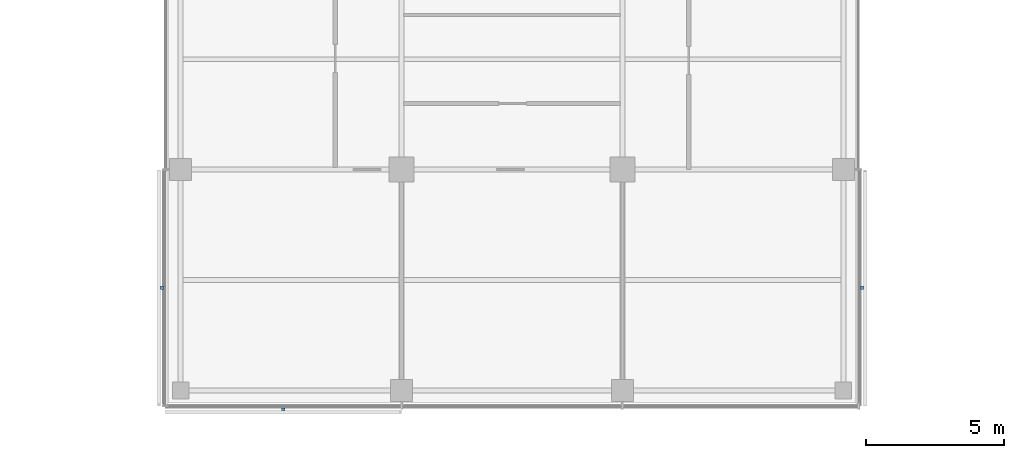
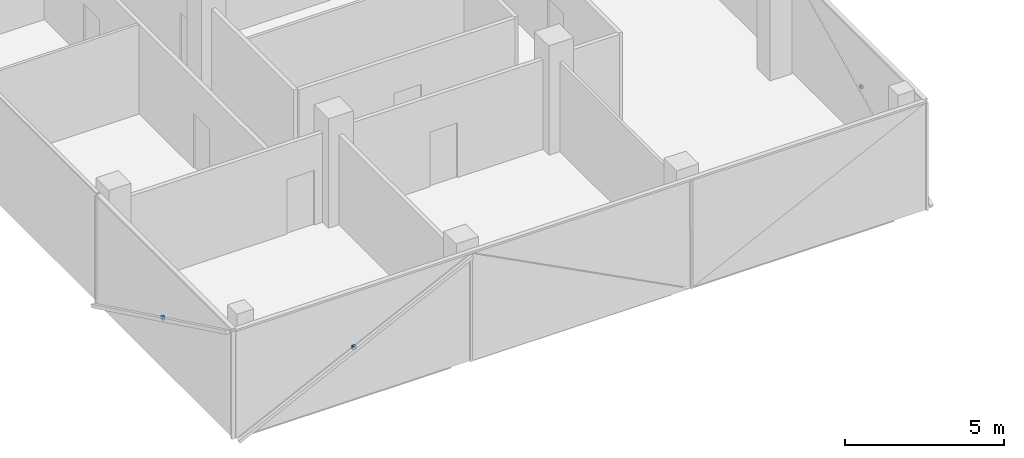
# One storey, part 13 of 15: 3 discrete accessories.
"""IFC4 building model written with IfcOpenShell, lengths in metres."""

import ifcopenshell
import ifcopenshell.guid

model = None  # the IFC model being written
_history = None  # IfcOwnerHistory: only IFC2X3 demands one
_inside = {}  # id of a spatial element -> (the spatial element, [elements in it])
_under = {}  # id of a project, library or spatial element -> (it, [spatial elements below it])
_declared = {}  # id of a project -> (the project, [libraries it declares])
_typed = {}  # id of a type object -> (the type object, [elements of that type])
_made_of = {}  # id of a material, layer set ... -> (it, [elements and type objects made of it])


def new_model(schema):
    """Start an empty IFC model of exactly this schema.

    Asked for "IFC4X3", IfcOpenShell would pick the latest addendum, in which some entities
    have other attributes; the version numbers below select the first issue.
    IFC2X3 requires an IfcOwnerHistory on every rooted entity: one is made here for all.
    """
    global model, _history
    if schema == "IFC4X3":
        model = ifcopenshell.file(schema_version=(4, 3, 0, 0))
    else:
        model = ifcopenshell.file(schema=schema)
    _inside.clear()
    _under.clear()
    _declared.clear()
    _typed.clear()
    _made_of.clear()
    _history = None
    if model.schema == "IFC2X3":
        org = make("IfcOrganization", Name="unknown")
        user = make(
            "IfcPersonAndOrganization",
            ThePerson=make("IfcPerson", FamilyName="unknown"),
            TheOrganization=org,
        )
        app = make(
            "IfcApplication",
            ApplicationDeveloper=org,
            Version="unknown",
            ApplicationFullName="unknown",
            ApplicationIdentifier="unknown",
        )
        _history = make(
            "IfcOwnerHistory",
            OwningUser=user,
            OwningApplication=app,
            ChangeAction="ADDED",
            CreationDate=0,
        )
    return model


def make(cls, **values):
    """One entity of the class cls with the attributes given. An attribute that is None is left unset."""
    return model.create_entity(
        cls, **{name: value for name, value in values.items() if value is not None}
    )


def rooted(cls, **values):
    """An entity with a GlobalId (a new one), such as an element, a storey or a relation."""
    return make(cls, GlobalId=ifcopenshell.guid.new(), OwnerHistory=_history, **values)


def si_unit(unit_type, name, prefix=None):
    """IfcSIUnit, for example si_unit("LENGTHUNIT", "METRE", prefix="MILLI")."""
    return make("IfcSIUnit", UnitType=unit_type, Prefix=prefix, Name=name)


def assignment(units):
    """IfcUnitAssignment: the units of a project."""
    return None if units is None else make("IfcUnitAssignment", Units=units)


def point(xyz):
    """IfcCartesianPoint."""
    return None if xyz is None else make("IfcCartesianPoint", Coordinates=xyz)


def direction(xyz):
    """IfcDirection."""
    return None if xyz is None else make("IfcDirection", DirectionRatios=xyz)


def frame(location, z_axis=None, x_axis=None):
    """IfcAxis2Placement3D, a coordinate frame: its origin and axes. An axis left out is left unset."""
    return make(
        "IfcAxis2Placement3D",
        Location=point(location),
        Axis=direction(z_axis),
        RefDirection=direction(x_axis),
    )


def frame_2d(location, x_axis=None):
    """IfcAxis2Placement2D, a coordinate frame in the plane: its origin and x axis."""
    return make(
        "IfcAxis2Placement2D", Location=point(location), RefDirection=direction(x_axis)
    )


def origin():
    """The frame at (0, 0, 0) with its axes left unset."""
    return frame((0.0, 0.0, 0.0))


def origin_2d():
    """The frame at (0, 0) in the plane with its x axis left unset."""
    return frame_2d((0.0, 0.0))


def place(relative_to, where):
    """IfcLocalPlacement: puts the frame where relative to a parent placement (None: the world)."""
    return make(
        "IfcLocalPlacement", PlacementRelTo=relative_to, RelativePlacement=where
    )


def context(
    kind, dimensions, precision=None, world=None, true_north=None, identifier=None
):
    """IfcGeometricRepresentationContext, for example the 3D "Model" context."""
    return make(
        "IfcGeometricRepresentationContext",
        ContextIdentifier=identifier,
        ContextType=kind,
        CoordinateSpaceDimension=dimensions,
        Precision=precision,
        WorldCoordinateSystem=world,
        TrueNorth=true_north,
    )


def subcontext(parent, identifier, kind, view, scale=None):
    """IfcGeometricRepresentationSubContext, for example "Body" below "Model"."""
    return make(
        "IfcGeometricRepresentationSubContext",
        ContextIdentifier=identifier,
        ContextType=kind,
        ParentContext=parent,
        TargetScale=scale,
        TargetView=view,
    )


def project(units=None, contexts=None):
    """IfcProject with its units and contexts."""
    return rooted(
        "IfcProject",
        Name="project",
        RepresentationContexts=contexts,
        UnitsInContext=assignment(units),
    )


def spatial(cls, under=None, at=None, **own):
    """A site, building, storey or space (cls), placed at a placement, below another one or the project."""
    s = rooted(cls, ObjectPlacement=at, **own)
    if under is not None:
        _under.setdefault(under.id(), (under, []))[1].append(s)
    return s


def profile(cls, at=None, kind="AREA", **sizes):
    """A parametric profile (cls). Its sizes go by their IFC names, for example OverallWidth=200.0."""
    return make(cls, ProfileType=kind, Position=at, **sizes)


def rectangle(**sizes):
    """IfcRectangleProfileDef."""
    return profile("IfcRectangleProfileDef", **sizes)


def extrude(swept, where, along, depth):
    """IfcExtrudedAreaSolid: the profile swept, set in the frame where, extruded along a direction by depth."""
    return make(
        "IfcExtrudedAreaSolid",
        SweptArea=swept,
        Position=where,
        ExtrudedDirection=direction(along),
        Depth=depth,
    )


def shape(context_of_items, identifier, shape_type, items):
    """IfcShapeRepresentation: the items that make up one representation, for example the "Body"."""
    return make(
        "IfcShapeRepresentation",
        ContextOfItems=context_of_items,
        RepresentationIdentifier=identifier,
        RepresentationType=shape_type,
        Items=items,
    )


def material(Name=None, Category=None):
    """IfcMaterial."""
    return make("IfcMaterial", Name=Name, Category=Category)


def made_of(thing, what):
    """Note that an element or type object is made of a material, layer set ...; save() writes the relation."""
    if what is not None:
        _made_of.setdefault(what.id(), (what, []))[1].append(thing)
    return thing


def type_object(cls, material=None, **own):
    """A type object (cls), such as IfcWallType, which elements share."""
    return made_of(rooted(cls, **own), material)


def element(
    cls,
    number,
    at=None,
    inside=None,
    cuts=None,
    type_object=None,
    material=None,
    context=None,
    identifier="Body",
    shape_type=None,
    held_by="IfcProductDefinitionShape",
    body=None,
    shapes=None,
    **own,
):
    """One element of the class cls, such as IfcWall. Its Tag is "e" and its number.

    at: its placement. inside: the storey or other place that contains it. cuts: it is an
    opening in that element (IfcRelVoidsElement). A single representation is given by context,
    identifier, shape_type and body (its items); several are given by shapes. held_by: the class
    of the entity that holds the representations. save() writes the other relations.
    """
    e = rooted(cls, Tag="e%d" % number, ObjectPlacement=at, **own)
    if body is not None:
        shapes = [shape(context, identifier, shape_type, body)]
    if shapes is not None:
        e.Representation = make(held_by, Representations=shapes)
    if inside is not None:
        _inside.setdefault(inside.id(), (inside, []))[1].append(e)
    if cuts is not None:
        rooted(
            "IfcRelVoidsElement", RelatingBuildingElement=cuts, RelatedOpeningElement=e
        )
    if type_object is not None:
        _typed.setdefault(type_object.id(), (type_object, []))[1].append(e)
    return made_of(e, material)


def aggregate(whole, parts):
    """IfcRelAggregates: a whole, such as a stair, and the parts it consists of."""
    return rooted("IfcRelAggregates", RelatingObject=whole, RelatedObjects=parts)


def save(model, path):
    """Write the relations noted so far, then the file.

    IfcRelAggregates (storeys below a building ...), IfcRelContainedInSpatialStructure (elements
    in a storey), IfcRelDefinesByType, IfcRelAssociatesMaterial and IfcRelDeclares: one each for
    every whole, place, type object, material and project.
    """
    for whole, parts in _under.values():
        aggregate(whole, parts)
    for where, things in _inside.values():
        rooted(
            "IfcRelContainedInSpatialStructure",
            RelatedElements=things,
            RelatingStructure=where,
        )
    for kind, things in _typed.values():
        rooted("IfcRelDefinesByType", RelatedObjects=things, RelatingType=kind)
    for what, things in _made_of.values():
        rooted("IfcRelAssociatesMaterial", RelatedObjects=things, RelatingMaterial=what)
    for by, libraries in _declared.values():
        rooted("IfcRelDeclares", RelatingContext=by, RelatedDefinitions=libraries)
    model.write(path)


model = new_model("IFC4")

# Units and contexts
model_context = context("Model", 3, precision=1e-05, world=origin(), true_north=direction((0.0, 1.0)))
body_context = subcontext(model_context, "Body", "Model", "MODEL_VIEW")
ifc_project = project(units=[si_unit("LENGTHUNIT", "METRE"), si_unit("AREAUNIT", "SQUARE_METRE"), si_unit("VOLUMEUNIT", "CUBIC_METRE"), si_unit("PLANEANGLEUNIT", "RADIAN"), si_unit("MASSUNIT", "GRAM", prefix="KILO")], contexts=[model_context])

# Site, building, storey
site_placement = place(None, origin())
site = spatial("IfcSite", under=ifc_project, at=site_placement, CompositionType="ELEMENT")
building_placement = place(site_placement, origin())
building = spatial("IfcBuilding", under=site, at=building_placement, Name="Crosswind Convention Tower", CompositionType="ELEMENT")
storey_placement = place(building_placement, frame((0.0, 0.0, 199.89990234375)))
storey = spatial("IfcBuildingStorey", under=building, at=storey_placement, Name="L42", CompositionType="ELEMENT", Elevation=199.89990234375)

# Discrete accessories
ifc_material = material(Name="Stainless steel", Category="steel")
discrete_accessory_type = type_object("IfcDiscreteAccessoryType", Name="BAGUETTE BRACKET BK3", PredefinedType="BRACKET", material=ifc_material)
for number, where, z_axis, x_axis, name in (
    (1, (112.323974609375, 75.719970703125, 1.705078125), (0.0, 0.0, 1.0), (0.0, -1.0, 0.0), "BK3 baguette bracket"),
    (2, (116.719970703125, 71.323974609375, 1.705078125), (0.0, 0.0, 1.0), (1.0, 0.0, 0.0), "BK3 baguette bracket"),
    (3, (137.676025390625, 75.719970703125, 1.705078125), (0.0, 0.0, 1.0), (0.0, 1.0, 0.0), "BK3 baguette bracket"),
):
    element("IfcDiscreteAccessory", number, at=place(storey_placement, frame(where, z_axis=z_axis, x_axis=x_axis)), inside=storey, type_object=discrete_accessory_type, Name=name, PredefinedType="BRACKET", context=body_context, shape_type="SweptSolid", body=[
        extrude(rectangle(XDim=0.1201171875, YDim=0.10009765625, at=origin_2d()), origin(), (0.0, 0.0, 1.0), 0.1201171875),
    ])

save(model, "model.ifc")
